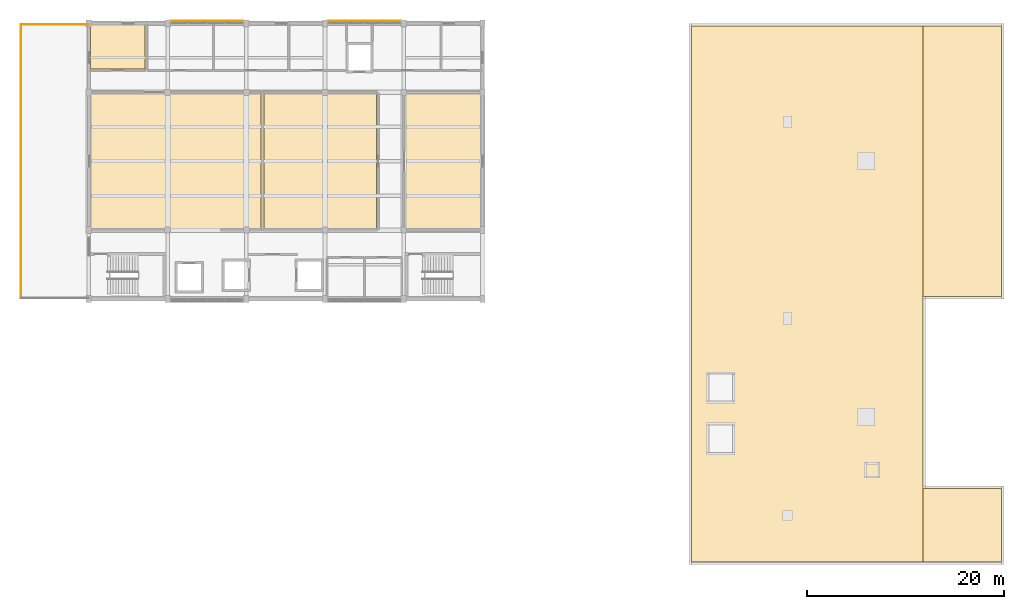
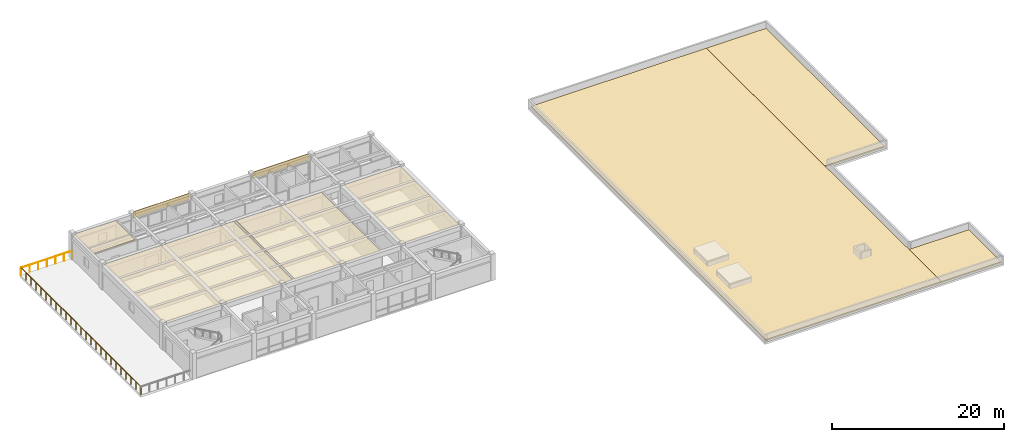
# One storey, part 10 of 10: 9 coverings, 2 railings.
"""IFC4 building model written with IfcOpenShell, lengths in metres."""

from ifc_helpers import new_model, si_unit, direction, frame, origin, origin_2d, place, context, subcontext, project, spatial, polyline, rectangle, circle, outline, extrude, material, layer, layer_set, type_object, element, save


model = new_model("IFC4")

# Units and contexts
model_context = context("Model", 3, precision=1e-05, world=origin(), true_north=direction((0.0, 1.0)))
body_context = subcontext(model_context, "Body", "Model", "MODEL_VIEW")
ifc_project = project(units=[si_unit("LENGTHUNIT", "METRE"), si_unit("AREAUNIT", "SQUARE_METRE"), si_unit("VOLUMEUNIT", "CUBIC_METRE"), si_unit("PLANEANGLEUNIT", "RADIAN"), si_unit("MASSUNIT", "GRAM", prefix="KILO")], contexts=[model_context])

# Site, building, storey
site_placement = place(None, origin())
site = spatial("IfcSite", under=ifc_project, at=site_placement, CompositionType="ELEMENT")
building_placement = place(site_placement, origin())
building = spatial("IfcBuilding", under=site, at=building_placement, Name="Naurynzar Civic Courthouse", CompositionType="ELEMENT")
storey_placement = place(building_placement, frame((0.0, 0.0, 33.300048828125)))
storey = spatial("IfcBuildingStorey", under=building, at=storey_placement, Name="L09", CompositionType="ELEMENT", Elevation=33.300048828125)

# Coverings
ifc_material_1 = material(Name="Acoustic Oak Timber Grade A", Category="wood")
ifc_layer_1 = layer(ifc_material_1, 0.044921875)
ifc_layer_set_1 = layer_set([ifc_layer_1], Name="CEIL-ACOUSTIC-OAK-45")
covering_type_1 = type_object("IfcCoveringType", Name="CEIL-ACOUSTIC-OAK-45", PredefinedType="CEILING", material=ifc_layer_set_1)
covering_1_placement = place(storey_placement, frame((0.0, 0.0, 3.364990234375)))
element("IfcCovering", 1, at=covering_1_placement, inside=storey, type_object=covering_type_1, Name="Acoustic suspended ceiling Appellate Civil Courtroom 9A", PredefinedType="CEILING", context=body_context, shape_type="SweptSolid", body=[
    extrude(outline(polyline([(86.47998046875, 51.159912109375), (69.159912109375, 51.159912109375), (69.159912109375, 64.840087890625), (86.47998046875, 64.840087890625), (86.47998046875, 51.159912109375)])), origin(), (0.0, 0.0, 1.0), 0.044921875),
])
covering_2_placement = place(storey_placement, frame((0.0, 0.0, 3.364990234375)))
element("IfcCovering", 2, at=covering_2_placement, inside=storey, type_object=covering_type_1, Name="Acoustic suspended ceiling Civil Chamber Courtroom L09-E", PredefinedType="CEILING", context=body_context, shape_type="SweptSolid", body=[
    extrude(outline(polyline([(108.840087890625, 51.159912109375), (101.159912109375, 51.159912109375), (101.159912109375, 64.840087890625), (108.840087890625, 64.840087890625), (108.840087890625, 51.159912109375)])), origin(), (0.0, 0.0, 1.0), 0.044921875),
])
ifc_material_2 = material(Name="Mineral Fibre Acoustic Ceiling")
ifc_layer_2 = layer(ifc_material_2, 0.030029296875)
ifc_layer_set_2 = layer_set([ifc_layer_2], Name="CEIL-MINERAL-30")
covering_type_2 = type_object("IfcCoveringType", Name="CEIL-MINERAL-30", PredefinedType="CEILING", material=ifc_layer_set_2)
covering_3_placement = place(storey_placement, frame((0.0, 0.0, 3.364990234375)))
element("IfcCovering", 3, at=covering_3_placement, inside=storey, type_object=covering_type_2, Name="Acoustic suspended ceiling Panel Deliberation Room 9A", PredefinedType="CEILING", context=body_context, shape_type="SweptSolid", body=[
    extrude(outline(polyline([(98.239990234375, 51.159912109375), (86.800048828125, 51.159912109375), (86.800048828125, 64.840087890625), (98.239990234375, 64.840087890625), (98.239990234375, 51.159912109375)])), origin(), (0.0, 0.0, 1.0), 0.030029296875),
])
covering_4_placement = place(storey_placement, frame((0.0, 0.0, 3.364990234375)))
element("IfcCovering", 4, at=covering_4_placement, inside=storey, type_object=covering_type_2, Name="Acoustic suspended ceiling Jury Room L09-N", PredefinedType="CEILING", context=body_context, shape_type="SweptSolid", body=[
    extrude(outline(polyline([(74.72802734375, 67.360107421875), (69.159912109375, 67.360107421875), (69.159912109375, 71.840087890625), (74.72802734375, 71.840087890625), (74.72802734375, 67.360107421875)])), origin(), (0.0, 0.0, 1.0), 0.030029296875),
])
ifc_material_3 = material(Name="Precast concrete C40/50", Category="concrete")
ifc_layer_3 = layer(ifc_material_3, 0.080078125)
ifc_layer_set_3 = layer_set([ifc_layer_3], Name="COV-CLAD-PRECAST-80")
covering_type_3 = type_object("IfcCoveringType", Name="COV-CLAD-PRECAST-80", PredefinedType="CLADDING", material=ifc_layer_set_3)
for number, where, z_axis, x_axis, name in (
    (5, (81.0, 72.2548828125, 2.599853515625), (0.0, 0.0, 1.0), (1.0, 0.0, 0.0), "V2 precast spandrel cladding 57"),
    (6, (97.0, 72.2548828125, 2.599853515625), (0.0, 0.0, 1.0), (1.0, 0.0, 0.0), "V2 precast spandrel cladding 58"),
):
    element("IfcCovering", number, at=place(storey_placement, frame(where, z_axis=z_axis, x_axis=x_axis)), inside=storey, type_object=covering_type_3, Name=name, PredefinedType="CLADDING", context=body_context, shape_type="SweptSolid", body=[
        extrude(rectangle(XDim=7.449951171875, YDim=0.080078125, at=origin_2d()), origin(), (0.0, 0.0, 1.0), 0.8701171875),
    ])
ifc_material_4 = material(Name="Waterproofing Membrane and Rigid Insulation")
ifc_layer_4 = layer(ifc_material_4, 0.179931640625)
ifc_layer_set_4 = layer_set([ifc_layer_4], Name="COV-ROOF-MEMB-180")
covering_type_4 = type_object("IfcCoveringType", Name="COV-ROOF-MEMB-180", PredefinedType="ROOFING", material=ifc_layer_set_4)
covering_5_placement = place(storey_placement, origin())
element("IfcCovering", 7, at=covering_5_placement, inside=storey, type_object=covering_type_4, Name="Insulated roof waterproofing membrane RM-V5-MAIN-W", PredefinedType="ROOFING", context=body_context, shape_type="SweptSolid", body=[
    extrude(outline(polyline([(130.25, 17.25), (153.75, 17.25), (153.75, 71.75), (130.25, 71.75), (130.25, 17.25)])), origin(), (0.0, 0.0, 1.0), 0.179931640625),
])
covering_6_placement = place(storey_placement, origin())
element("IfcCovering", 8, at=covering_6_placement, inside=storey, type_object=covering_type_4, Name="Insulated roof waterproofing membrane RM-V5-MAIN-SE", PredefinedType="ROOFING", context=body_context, shape_type="SweptSolid", body=[
    extrude(outline(polyline([(153.75, 17.25), (161.75, 17.25), (161.75, 24.75), (153.75, 24.75), (153.75, 17.25)])), origin(), (0.0, 0.0, 1.0), 0.179931640625),
])
covering_7_placement = place(storey_placement, origin())
element("IfcCovering", 9, at=covering_7_placement, inside=storey, type_object=covering_type_4, Name="Insulated roof waterproofing membrane RM-V5-MAIN-NE", PredefinedType="ROOFING", context=body_context, shape_type="SweptSolid", body=[
    extrude(outline(polyline([(153.75, 44.25), (161.75, 44.25), (161.75, 71.75), (153.75, 71.75), (153.75, 44.25)])), origin(), (0.0, 0.0, 1.0), 0.179931640625),
])

# Railings
ifc_material_5 = material(Name="Brushed Stainless Steel 304", Category="steel")
railing_type = type_object("IfcRailingType", Name="RAIL-BAL-1100", PredefinedType="BALUSTRADE", material=ifc_material_5)
railing_1_placement = place(storey_placement, frame((62.10009765625, 44.10009765625, 0.0)))
element("IfcRailing", 10, at=railing_1_placement, inside=storey, type_object=railing_type, Name="Roof garden perimeter balustrade guard GR-RG-V2W.2", PredefinedType="BALUSTRADE", context=body_context, shape_type="SweptSolid", body=[
    extrude(circle(Radius=0.02392578125, at=origin_2d()), frame((0.0, 0.0, 1.09619140625), z_axis=(0.0, 1.0, 0.0), x_axis=(-1.0, 0.0, 0.0)), (0.0, 0.0, 1.0), 27.7998046875),
    extrude(circle(Radius=0.02099609375, at=origin_2d()), origin(), (0.0, 0.0, 1.0), 1.072021484375),
    extrude(circle(Radius=0.02099609375, at=origin_2d()), frame((0.0, 1.158203125, 0.0)), (0.0, 0.0, 1.0), 1.072021484375),
    extrude(circle(Radius=0.02099609375, at=origin_2d()), frame((0.0, 2.316650390625, 0.0)), (0.0, 0.0, 1.0), 1.072021484375),
    extrude(circle(Radius=0.02099609375, at=origin_2d()), frame((0.0, 3.47509765625, 0.0)), (0.0, 0.0, 1.0), 1.072021484375),
    extrude(circle(Radius=0.02099609375, at=origin_2d()), frame((0.0, 4.63330078125, 0.0)), (0.0, 0.0, 1.0), 1.072021484375),
    extrude(circle(Radius=0.02099609375, at=origin_2d()), frame((0.0, 5.79150390625, 0.0)), (0.0, 0.0, 1.0), 1.072021484375),
    extrude(circle(Radius=0.02099609375, at=origin_2d()), frame((0.0, 6.949951171875, 0.0)), (0.0, 0.0, 1.0), 1.072021484375),
    extrude(circle(Radius=0.02099609375, at=origin_2d()), frame((0.0, 8.1083984375, 0.0)), (0.0, 0.0, 1.0), 1.072021484375),
    extrude(circle(Radius=0.02099609375, at=origin_2d()), frame((0.0, 9.2666015625, 0.0)), (0.0, 0.0, 1.0), 1.072021484375),
    extrude(circle(Radius=0.02099609375, at=origin_2d()), frame((0.0, 10.4248046875, 0.0)), (0.0, 0.0, 1.0), 1.072021484375),
    extrude(circle(Radius=0.02099609375, at=origin_2d()), frame((0.0, 11.583251953125, 0.0)), (0.0, 0.0, 1.0), 1.072021484375),
    extrude(circle(Radius=0.02099609375, at=origin_2d()), frame((0.0, 12.74169921875, 0.0)), (0.0, 0.0, 1.0), 1.072021484375),
    extrude(circle(Radius=0.02099609375, at=origin_2d()), frame((0.0, 13.89990234375, 0.0)), (0.0, 0.0, 1.0), 1.072021484375),
    extrude(circle(Radius=0.02099609375, at=origin_2d()), frame((0.0, 15.05810546875, 0.0)), (0.0, 0.0, 1.0), 1.072021484375),
    extrude(circle(Radius=0.02099609375, at=origin_2d()), frame((0.0, 16.216552734375, 0.0)), (0.0, 0.0, 1.0), 1.072021484375),
    extrude(circle(Radius=0.02099609375, at=origin_2d()), frame((0.0, 17.375, 0.0)), (0.0, 0.0, 1.0), 1.072021484375),
    extrude(circle(Radius=0.02099609375, at=origin_2d()), frame((0.0, 18.533203125, 0.0)), (0.0, 0.0, 1.0), 1.072021484375),
    extrude(circle(Radius=0.02099609375, at=origin_2d()), frame((0.0, 19.69140625, 0.0)), (0.0, 0.0, 1.0), 1.072021484375),
    extrude(circle(Radius=0.02099609375, at=origin_2d()), frame((0.0, 20.849853515625, 0.0)), (0.0, 0.0, 1.0), 1.072021484375),
    extrude(circle(Radius=0.02099609375, at=origin_2d()), frame((0.0, 22.00830078125, 0.0)), (0.0, 0.0, 1.0), 1.072021484375),
    extrude(circle(Radius=0.02099609375, at=origin_2d()), frame((0.0, 23.16650390625, 0.0)), (0.0, 0.0, 1.0), 1.072021484375),
    extrude(circle(Radius=0.02099609375, at=origin_2d()), frame((0.0, 24.32470703125, 0.0)), (0.0, 0.0, 1.0), 1.072021484375),
    extrude(circle(Radius=0.02099609375, at=origin_2d()), frame((0.0, 25.483154296875, 0.0)), (0.0, 0.0, 1.0), 1.072021484375),
    extrude(circle(Radius=0.02099609375, at=origin_2d()), frame((0.0, 26.6416015625, 0.0)), (0.0, 0.0, 1.0), 1.072021484375),
    extrude(circle(Radius=0.02099609375, at=origin_2d()), frame((0.0, 27.7998046875, 0.0)), (0.0, 0.0, 1.0), 1.072021484375),
])
railing_2_placement = place(storey_placement, frame((62.10009765625, 71.89990234375, 0.0)))
element("IfcRailing", 11, at=railing_2_placement, inside=storey, type_object=railing_type, Name="Roof garden perimeter balustrade guard GR-RG-V2W.3", PredefinedType="BALUSTRADE", context=body_context, shape_type="SweptSolid", body=[
    extrude(circle(Radius=0.02392578125, at=origin_2d()), frame((0.0, 0.0, 1.09619140625), z_axis=(1.0, 0.0, 0.0), x_axis=(0.0, 1.0, 0.0)), (0.0, 0.0, 1.0), 6.8798828125),
    extrude(circle(Radius=0.02099609375, at=origin_2d()), origin(), (0.0, 0.0, 1.0), 1.072021484375),
    extrude(circle(Radius=0.02099609375, at=origin_2d()), frame((1.146728515625, 0.0, 0.0)), (0.0, 0.0, 1.0), 1.072021484375),
    extrude(circle(Radius=0.02099609375, at=origin_2d()), frame((2.293212890625, 0.0, 0.0)), (0.0, 0.0, 1.0), 1.072021484375),
    extrude(circle(Radius=0.02099609375, at=origin_2d()), frame((3.43994140625, 0.0, 0.0)), (0.0, 0.0, 1.0), 1.072021484375),
    extrude(circle(Radius=0.02099609375, at=origin_2d()), frame((4.586669921875, 0.0, 0.0)), (0.0, 0.0, 1.0), 1.072021484375),
    extrude(circle(Radius=0.02099609375, at=origin_2d()), frame((5.733154296875, 0.0, 0.0)), (0.0, 0.0, 1.0), 1.072021484375),
    extrude(circle(Radius=0.02099609375, at=origin_2d()), frame((6.8798828125, 0.0, 0.0)), (0.0, 0.0, 1.0), 1.072021484375),
])

save(model, "model.ifc")
